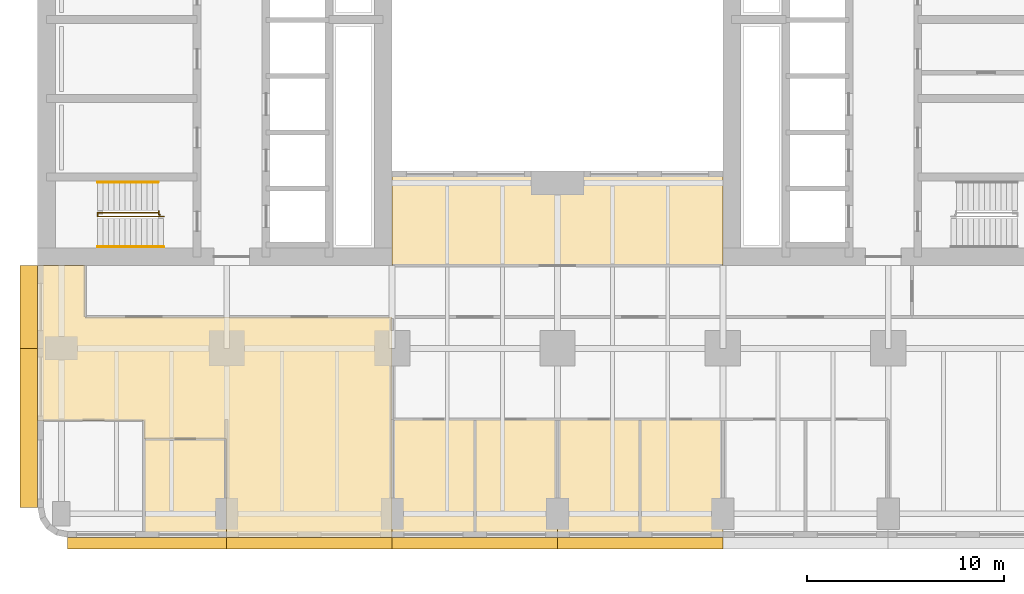
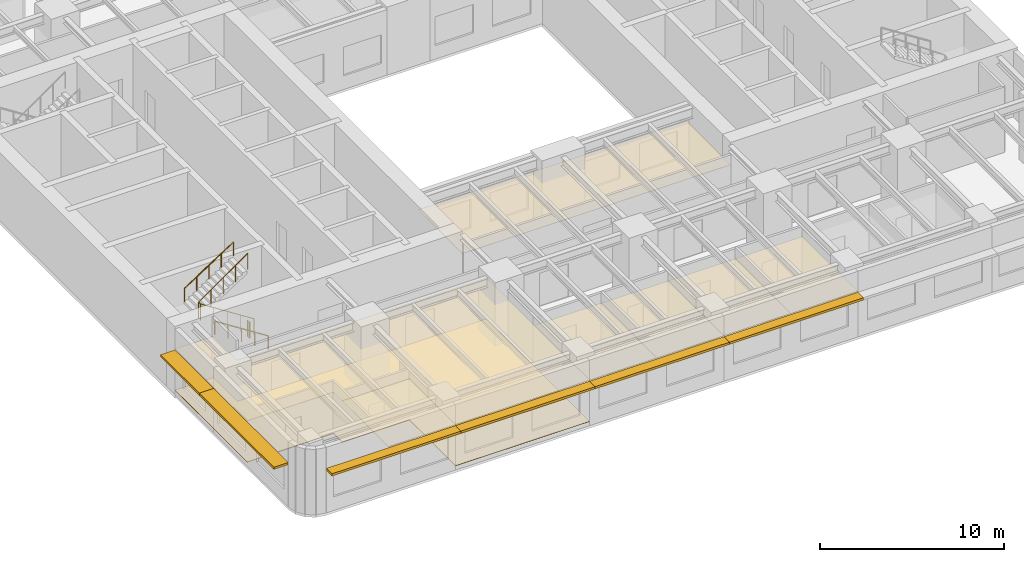
# One storey, part 9 of 12: 8 coverings, 6 shading devices, 4 railings.
"""IFC4 building model written with IfcOpenShell, lengths in metres."""

from ifc_helpers import new_model, si_unit, direction, frame, origin, origin_2d, place, context, subcontext, project, spatial, polyline, rectangle, circle, outline, extrude, material, layer, layer_set, type_object, element, save


model = new_model("IFC4")

# Units and contexts
model_context = context("Model", 3, precision=1e-05, world=origin(), true_north=direction((0.0, 1.0)))
body_context = subcontext(model_context, "Body", "Model", "MODEL_VIEW")
ifc_project = project(units=[si_unit("LENGTHUNIT", "METRE"), si_unit("AREAUNIT", "SQUARE_METRE"), si_unit("VOLUMEUNIT", "CUBIC_METRE"), si_unit("PLANEANGLEUNIT", "RADIAN"), si_unit("MASSUNIT", "GRAM", prefix="KILO")], contexts=[model_context])

# Site, building, storey
site_placement = place(None, origin())
site = spatial("IfcSite", under=ifc_project, at=site_placement, CompositionType="ELEMENT")
building_placement = place(site_placement, origin())
building = spatial("IfcBuilding", under=site, at=building_placement, Name="Claustro Exchange Tower", CompositionType="ELEMENT")
storey_placement = place(building_placement, frame((0.0, 0.0, 63.89990234375)))
storey = spatial("IfcBuildingStorey", under=building, at=storey_placement, Name="L14", CompositionType="ELEMENT", Elevation=63.89990234375)

# Coverings
ifc_material_1 = material(Name="Gypsum board ceiling", Category="gypsum board")
ifc_layer_1 = layer(ifc_material_1, 0.02490234375)
ifc_layer_set_1 = layer_set([ifc_layer_1], Name="Gypsum board ceiling")
covering_type_1 = type_object("IfcCoveringType", Name="CL2 plasterboard ceiling", PredefinedType="CEILING", material=ifc_layer_set_1)
covering_1_placement = place(storey_placement, frame((0.0, 0.0, 3.0)))
element("IfcCovering", 1, at=covering_1_placement, inside=storey, type_object=covering_type_1, Name="Ceiling CL2 L14-01", PredefinedType="CEILING", context=body_context, shape_type="SweptSolid", body=[
    extrude(outline(polyline([(4.199951171875, -1.199951171875), (8.39990234375, -1.199951171875), (8.39990234375, 3.800048828125), (4.199951171875, 3.800048828125), (4.199951171875, -1.199951171875)])), origin(), (0.0, 0.0, 1.0), 0.025146484375),
])
covering_2_placement = place(storey_placement, frame((0.0, 0.0, 3.0)))
element("IfcCovering", 2, at=covering_2_placement, inside=storey, type_object=covering_type_1, Name="Ceiling CL2 L14-03", PredefinedType="CEILING", context=body_context, shape_type="SweptSolid", body=[
    extrude(outline(polyline([(16.800048828125, -1.199951171875), (21.0, -1.199951171875), (21.0, 4.800048828125), (16.800048828125, 4.800048828125), (16.800048828125, -1.199951171875)])), origin(), (0.0, 0.0, 1.0), 0.025146484375),
])
covering_3_placement = place(storey_placement, frame((0.0, 0.0, 3.0)))
element("IfcCovering", 3, at=covering_3_placement, inside=storey, type_object=covering_type_1, Name="Ceiling CL2 L14-04", PredefinedType="CEILING", context=body_context, shape_type="SweptSolid", body=[
    extrude(outline(polyline([(21.0, -1.199951171875), (25.199951171875, -1.199951171875), (25.199951171875, 4.800048828125), (21.0, 4.800048828125), (21.0, -1.199951171875)])), origin(), (0.0, 0.0, 1.0), 0.025146484375),
])
covering_4_placement = place(storey_placement, frame((0.0, 0.0, 3.0)))
element("IfcCovering", 4, at=covering_4_placement, inside=storey, type_object=covering_type_1, Name="Ceiling CL2 L14-05", PredefinedType="CEILING", context=body_context, shape_type="SweptSolid", body=[
    extrude(outline(polyline([(25.199951171875, -1.199951171875), (29.39990234375, -1.199951171875), (29.39990234375, 4.800048828125), (25.199951171875, 4.800048828125), (25.199951171875, -1.199951171875)])), origin(), (0.0, 0.0, 1.0), 0.025146484375),
])
covering_5_placement = place(storey_placement, frame((0.0, 0.0, 3.0)))
element("IfcCovering", 5, at=covering_5_placement, inside=storey, type_object=covering_type_1, Name="Ceiling CL2 L14-06", PredefinedType="CEILING", context=body_context, shape_type="SweptSolid", body=[
    extrude(outline(polyline([(29.39990234375, -1.199951171875), (33.60009765625, -1.199951171875), (33.60009765625, 4.800048828125), (29.39990234375, 4.800048828125), (29.39990234375, -1.199951171875)])), origin(), (0.0, 0.0, 1.0), 0.025146484375),
])
covering_6_placement = place(storey_placement, frame((0.0, 0.0, 3.0)))
element("IfcCovering", 6, at=covering_6_placement, inside=storey, type_object=covering_type_1, Name="Ceiling CL2 L14-09", PredefinedType="CEILING", context=body_context, shape_type="SweptSolid", body=[
    extrude(outline(polyline([(-1.199951171875, 12.60009765625), (-1.199951171875, 4.75), (4.199951171875, 4.75), (4.199951171875, 3.800048828125), (8.39990234375, 3.800048828125), (8.39990234375, -1.199951171875), (16.800048828125, -1.199951171875), (16.800048828125, 4.800048828125), (16.800048828125, 10.0), (1.199951171875, 10.0), (1.199951171875, 12.60009765625), (-1.199951171875, 12.60009765625)])), origin(), (0.0, 0.0, 1.0), 0.025146484375),
])
covering_7_placement = place(storey_placement, frame((0.0, 0.0, 3.0)))
element("IfcCovering", 7, at=covering_7_placement, inside=storey, type_object=covering_type_1, Name="Ceiling CL2 L14-13", PredefinedType="CEILING", context=body_context, shape_type="SweptSolid", body=[
    extrude(outline(polyline([(16.800048828125, 17.39990234375), (16.800048828125, 12.60009765625), (33.60009765625, 12.60009765625), (33.60009765625, 17.39990234375), (16.800048828125, 17.39990234375)])), origin(), (0.0, 0.0, 1.0), 0.025146484375),
])

# Railings
ifc_material_2 = material(Name="Steel balustrade, painted", Category="steel")
railing_type_1 = type_object("IfcRailingType", Name="GR2 1100 steel stair guard", PredefinedType="GUARDRAIL", material=ifc_material_2)
railing_1_placement = place(storey_placement, frame((5.199951171875, 15.10009765625, 0.18017578125)))
element("IfcRailing", 8, at=railing_1_placement, inside=storey, type_object=railing_type_1, Name="Stair well guard GR2 stair STWA L14", PredefinedType="GUARDRAIL", context=body_context, shape_type="SweptSolid", body=[
    extrude(circle(Radius=0.02392578125, at=origin_2d()), frame((0.0, 0.0, 1.076171875), z_axis=(-0.841178475377, 0.0, 0.540757591313), x_axis=(0.0, -1.0, 0.0)), (0.0, 0.0, 1.0), 3.994140625),
    extrude(circle(Radius=0.02392578125, at=origin_2d()), frame((-3.35986328125, 0.0, 3.23583984375), z_axis=(0.0, 1.0, 0.0), x_axis=(-1.0, 0.0, 0.0)), (0.0, 0.0, 1.0), 0.199951171875),
    extrude(circle(Radius=0.02392578125, at=origin_2d()), frame((-3.35986328125, 0.199951171875, 3.23583984375), z_axis=(0.818728512145, 0.0, 0.574180828137), x_axis=(0.0, 1.0, 0.0)), (0.0, 0.0, 1.0), 3.76171875),
    extrude(circle(Radius=0.02099609375, at=origin_2d()), origin(), (0.0, 0.0, 1.0), 1.052001953125),
    extrude(circle(Radius=0.02099609375, at=origin_2d()), frame((-0.83984375, 0.0, 0.5400390625)), (0.0, 0.0, 1.0), 1.052001953125),
    extrude(circle(Radius=0.02099609375, at=origin_2d()), frame((-1.679931640625, 0.0, 1.080078125)), (0.0, 0.0, 1.0), 1.052001953125),
    extrude(circle(Radius=0.02099609375, at=origin_2d()), frame((-2.52001953125, 0.0, 1.619873046875)), (0.0, 0.0, 1.0), 1.052001953125),
    extrude(circle(Radius=0.02099609375, at=origin_2d()), frame((-3.35986328125, 0.0, 2.159912109375)), (0.0, 0.0, 1.0), 1.052001953125),
    extrude(circle(Radius=0.02099609375, at=origin_2d()), frame((-3.35986328125, 0.199951171875, 2.159912109375)), (0.0, 0.0, 1.0), 1.052001953125),
    extrude(circle(Radius=0.02099609375, at=origin_2d()), frame((-2.58984375, 0.199951171875, 2.699951171875)), (0.0, 0.0, 1.0), 1.052001953125),
    extrude(circle(Radius=0.02099609375, at=origin_2d()), frame((-1.81982421875, 0.199951171875, 3.23974609375)), (0.0, 0.0, 1.0), 1.052001953125),
    extrude(circle(Radius=0.02099609375, at=origin_2d()), frame((-1.050048828125, 0.199951171875, 3.77978515625)), (0.0, 0.0, 1.0), 1.052001953125),
    extrude(circle(Radius=0.02099609375, at=origin_2d()), frame((-0.280029296875, 0.199951171875, 4.31982421875)), (0.0, 0.0, 1.0), 1.052001953125),
])
railing_2_placement = place(storey_placement, frame((5.0, 15.169921875, 0.0)))
element("IfcRailing", 9, at=railing_2_placement, inside=storey, type_object=railing_type_1, Name="Stair guard GR2 STWA L14", PredefinedType="GUARDRAIL", context=body_context, shape_type="SweptSolid", body=[
    extrude(circle(Radius=0.02392578125, at=origin_2d()), frame((0.0, 0.0, 1.076171875), z_axis=(0.0, 1.0, 0.0), x_axis=(-1.0, 0.0, 0.0)), (0.0, 0.0, 1.0), 0.030029296875),
    extrude(circle(Radius=0.02392578125, at=origin_2d()), frame((0.0, 0.030029296875, 1.076171875), z_axis=(-1.0, 0.0, 0.0), x_axis=(0.0, -1.0, 0.0)), (0.0, 0.0, 1.0), 0.054931640625),
    extrude(circle(Radius=0.02392578125, at=origin_2d()), frame((-0.054931640625, 0.030029296875, 1.076171875), z_axis=(0.0, 1.0, 0.0), x_axis=(-1.0, 0.0, 0.0)), (0.0, 0.0, 1.0), 0.179931640625),
    extrude(circle(Radius=0.02099609375, at=origin_2d()), origin(), (0.0, 0.0, 1.0), 1.052001953125),
    extrude(circle(Radius=0.02099609375, at=origin_2d()), frame((0.0, 0.030029296875, 0.0)), (0.0, 0.0, 1.0), 1.052001953125),
    extrude(circle(Radius=0.02099609375, at=origin_2d()), frame((-0.054931640625, 0.030029296875, 0.0)), (0.0, 0.0, 1.0), 1.052001953125),
    extrude(circle(Radius=0.02099609375, at=origin_2d()), frame((-0.054931640625, 0.2099609375, 0.0)), (0.0, 0.0, 1.0), 1.052001953125),
])
ifc_material_3 = material(Name="Stainless steel tube", Category="steel")
railing_type_2 = type_object("IfcRailingType", Name="HR1 900 stair handrail", PredefinedType="HANDRAIL", material=ifc_material_3)
railing_3_placement = place(storey_placement, frame((5.199951171875, 13.56005859375, 0.18017578125)))
element("IfcRailing", 10, at=railing_3_placement, inside=storey, type_object=railing_type_2, Name="Handrail HR1 stair STWA L14", PredefinedType="HANDRAIL", context=body_context, shape_type="SweptSolid", body=[
    extrude(circle(Radius=0.02392578125, at=origin_2d()), frame((0.0, 0.0, 0.8759765625), z_axis=(-0.841178475377, 0.0, 0.540757591313), x_axis=(0.0, -1.0, 0.0)), (0.0, 0.0, 1.0), 3.994140625),
    extrude(circle(Radius=0.02099609375, at=origin_2d()), origin(), (0.0, 0.0, 1.0), 0.851806640625),
    extrude(circle(Radius=0.02099609375, at=origin_2d()), frame((-0.83984375, 0.0, 0.5400390625)), (0.0, 0.0, 1.0), 0.851806640625),
    extrude(circle(Radius=0.02099609375, at=origin_2d()), frame((-1.679931640625, 0.0, 1.080078125)), (0.0, 0.0, 1.0), 0.851806640625),
    extrude(circle(Radius=0.02099609375, at=origin_2d()), frame((-2.52001953125, 0.0, 1.619873046875)), (0.0, 0.0, 1.0), 0.851806640625),
    extrude(circle(Radius=0.02099609375, at=origin_2d()), frame((-3.35986328125, 0.0, 2.159912109375)), (0.0, 0.0, 1.0), 0.851806640625),
])
railing_4_placement = place(storey_placement, frame((1.840087890625, 16.840087890625, 2.52001953125)))
element("IfcRailing", 11, at=railing_4_placement, inside=storey, type_object=railing_type_2, Name="Handrail HR1 stair STWA L14", PredefinedType="HANDRAIL", context=body_context, shape_type="SweptSolid", body=[
    extrude(circle(Radius=0.02392578125, at=origin_2d()), frame((0.0, 0.0, 0.8759765625), z_axis=(0.841167642724, 0.0, 0.540774441735), x_axis=(0.0, 1.0, 0.0)), (0.0, 0.0, 1.0), 3.661376953125),
    extrude(circle(Radius=0.02099609375, at=origin_2d()), origin(), (0.0, 0.0, 1.0), 0.851806640625),
    extrude(circle(Radius=0.02099609375, at=origin_2d()), frame((0.77001953125, 0.0, 0.4951171875)), (0.0, 0.0, 1.0), 0.851806640625),
    extrude(circle(Radius=0.02099609375, at=origin_2d()), frame((1.5400390625, 0.0, 0.989990234375)), (0.0, 0.0, 1.0), 0.851806640625),
    extrude(circle(Radius=0.02099609375, at=origin_2d()), frame((2.309814453125, 0.0, 1.48486328125)), (0.0, 0.0, 1.0), 0.851806640625),
    extrude(circle(Radius=0.02099609375, at=origin_2d()), frame((3.079833984375, 0.0, 1.97998046875)), (0.0, 0.0, 1.0), 0.851806640625),
])

# Covering
ifc_material_4 = material(Name="Steel-encased raised floor panels on pedestals", Category="steel")
ifc_layer_2 = layer(ifc_material_4, 0.0400390625)
ifc_layer_set_2 = layer_set([ifc_layer_2], Name="Steel-encased raised floor panels on pedestals")
covering_type_2 = type_object("IfcCoveringType", Name="RF1 300 raised access floor", PredefinedType="FLOORING", material=ifc_layer_set_2)
covering_8_placement = place(storey_placement, frame((0.0, 0.0, 0.260009765625)))
element("IfcCovering", 12, at=covering_8_placement, inside=storey, type_object=covering_type_2, Name="Raised access floor RF1 L14-09", PredefinedType="FLOORING", context=body_context, shape_type="SweptSolid", body=[
    extrude(outline(polyline([(-1.199951171875, 12.60009765625), (-1.199951171875, 4.75), (4.199951171875, 4.75), (4.199951171875, 3.800048828125), (8.39990234375, 3.800048828125), (8.39990234375, -1.199951171875), (16.800048828125, -1.199951171875), (16.800048828125, 4.800048828125), (16.800048828125, 10.0), (1.199951171875, 10.0), (1.199951171875, 12.60009765625), (-1.199951171875, 12.60009765625)])), origin(), (0.0, 0.0, 1.0), 0.0400390625),
])

# Shading devices
ifc_material_5 = material(Name="Concrete HA-40 (C40/50), precast, white cement, acid-etched", Category="concrete")
ifc_layer_3 = layer(ifc_material_5, 0.14990234375)
ifc_layer_set_3 = layer_set([ifc_layer_3], Name="Concrete HA-40 (C40/50), precast, white cement, acid-etched")
shading_device_type_1 = type_object("IfcShadingDeviceType", Name="SS1 600 precast concrete SUNSHADE", PredefinedType="SHUTTER", material=ifc_layer_set_3)
for number, where, z_axis, x_axis, name in (
    (13, (29.39990234375, -1.5, 2.800048828125), (0.0, 0.0, 1.0), (-1.0, 0.0, 0.0), "Precast SUNSHADE SS1 L14"),
    (14, (21.0, -1.5, 2.800048828125), (0.0, 0.0, 1.0), (-1.0, 0.0, 0.0), "Precast SUNSHADE SS1 L14"),
    (15, (12.60009765625, -1.5, 2.800048828125), (0.0, 0.0, 1.0), (-1.0, 0.0, 0.0), "Precast SUNSHADE SS1 L14"),
):
    element("IfcShadingDevice", number, at=place(storey_placement, frame(where, z_axis=z_axis, x_axis=x_axis)), inside=storey, type_object=shading_device_type_1, Name=name, PredefinedType="SHUTTER", context=body_context, shape_type="SweptSolid", body=[
        extrude(rectangle(XDim=8.39990234375, YDim=0.60009765625, at=origin_2d()), origin(), (0.0, 0.0, 1.0), 0.14990234375),
    ])
shading_device_1_placement = place(storey_placement, frame((4.357421875, -1.5, 2.800048828125), z_axis=(0.0, 0.0, 1.0), x_axis=(-1.0, 0.0, 0.0)))
element("IfcShadingDevice", 16, at=shading_device_1_placement, inside=storey, type_object=shading_device_type_1, Name="Precast SUNSHADE SS1 L14", PredefinedType="SHUTTER", context=body_context, shape_type="SweptSolid", body=[
    extrude(rectangle(XDim=8.085205078125, YDim=0.60009765625, at=origin_2d()), origin(), (0.0, 0.0, 1.0), 0.14990234375),
])
ifc_material_6 = material(Name="Concrete HA-40 (C40/50), precast, white cement, acid-etched", Category="concrete")
ifc_layer_4 = layer(ifc_material_6, 0.14990234375)
ifc_layer_set_4 = layer_set([ifc_layer_4], Name="Concrete HA-40 (C40/50), precast, white cement, acid-etched")
shading_device_type_2 = type_object("IfcShadingDeviceType", Name="SS2 900 precast concrete SUNSHADE", PredefinedType="SHUTTER", material=ifc_layer_set_4)
shading_device_2_placement = place(storey_placement, frame((-1.64990234375, 4.357421875, 2.800048828125), z_axis=(0.0, 0.0, 1.0), x_axis=(0.0, 1.0, 0.0)))
element("IfcShadingDevice", 17, at=shading_device_2_placement, inside=storey, type_object=shading_device_type_2, Name="Precast SUNSHADE SS2 L14", PredefinedType="SHUTTER", context=body_context, shape_type="SweptSolid", body=[
    extrude(rectangle(XDim=8.085205078125, YDim=0.89990234375, at=origin_2d()), origin(), (0.0, 0.0, 1.0), 0.14990234375),
])
shading_device_3_placement = place(storey_placement, frame((-1.64990234375, 10.5, 2.800048828125), z_axis=(0.0, 0.0, 1.0), x_axis=(0.0, 1.0, 0.0)))
element("IfcShadingDevice", 18, at=shading_device_3_placement, inside=storey, type_object=shading_device_type_2, Name="Precast SUNSHADE SS2 L14", PredefinedType="SHUTTER", context=body_context, shape_type="SweptSolid", body=[
    extrude(rectangle(XDim=4.199951171875, YDim=0.89990234375, at=origin_2d()), origin(), (0.0, 0.0, 1.0), 0.14990234375),
])

save(model, "model.ifc")
